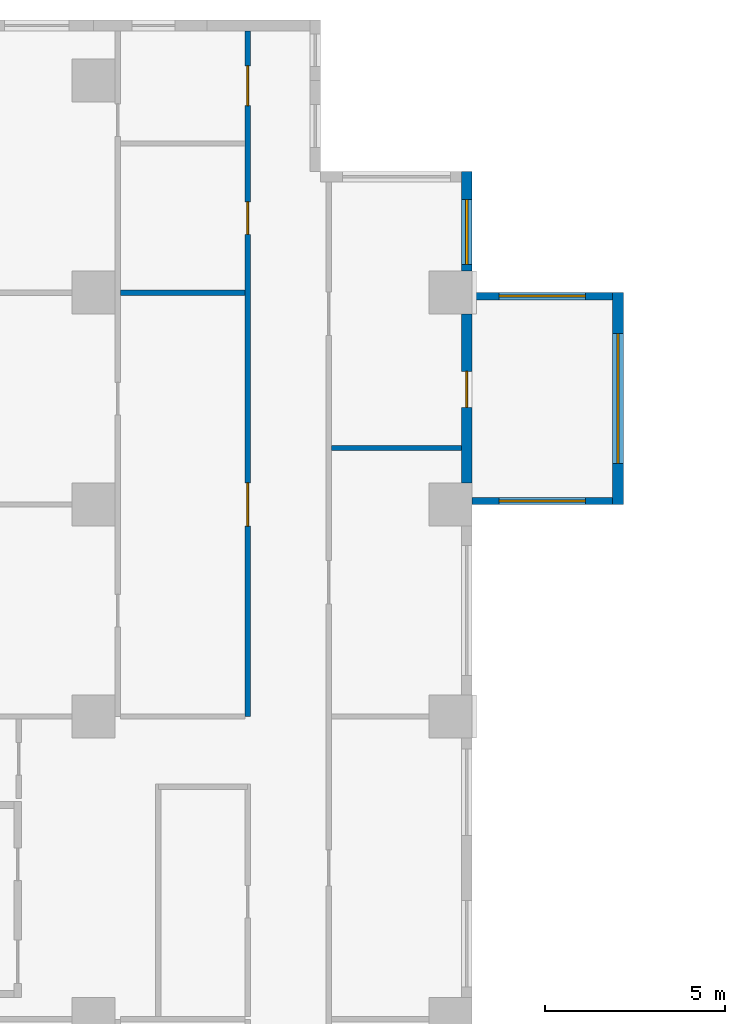
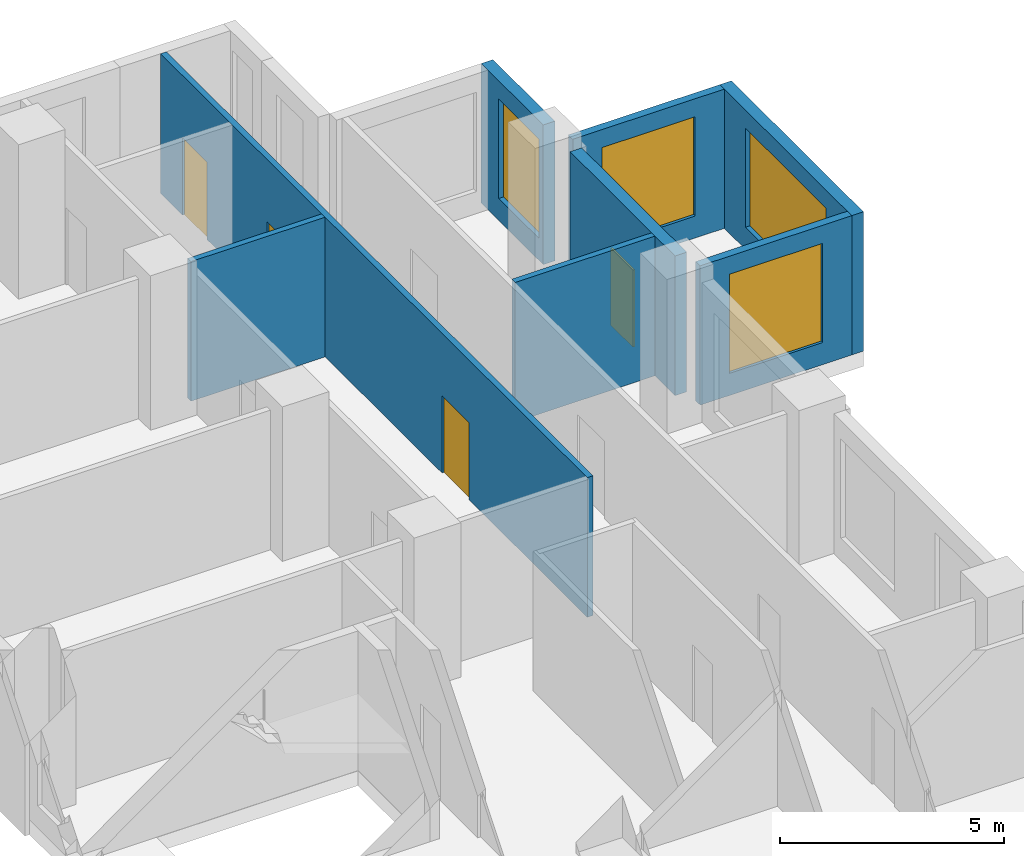
# One storey, part 8 of 14: 8 walls, 4 doors, 4 windows, 8 openings.
"""IFC4 building model written with IfcOpenShell, lengths in metres."""

from ifc_helpers import new_model, si_unit, direction, frame, frame_2d, origin, place, context, subcontext, project, spatial, rectangle, extrude, source, transform, mapped, material, layer, layer_set, type_object, element, fill, save


model = new_model("IFC4")

# Units and contexts
model_context = context("Model", 3, precision=1e-05, world=origin(), true_north=direction((0.0, 1.0)))
body_context = subcontext(model_context, "Body", "Model", "MODEL_VIEW")
ifc_project = project(units=[si_unit("LENGTHUNIT", "METRE"), si_unit("AREAUNIT", "SQUARE_METRE"), si_unit("VOLUMEUNIT", "CUBIC_METRE"), si_unit("PLANEANGLEUNIT", "RADIAN"), si_unit("MASSUNIT", "GRAM", prefix="KILO")], contexts=[model_context])

# Site, building, storey
site_placement = place(None, origin())
site = spatial("IfcSite", under=ifc_project, at=site_placement, CompositionType="ELEMENT")
building_placement = place(site_placement, origin())
building = spatial("IfcBuilding", under=site, at=building_placement, Name="Aurelian Terraces", CompositionType="ELEMENT")
storey_placement = place(building_placement, frame((0.0, 0.0, 57.3)))
storey = spatial("IfcBuildingStorey", under=building, at=storey_placement, Name="L11", CompositionType="ELEMENT", Elevation=57.3)

# Wall, opening, door
ifc_material_1 = material(Name="Terracotta rainscreen cladding", Category="masonry")
ifc_layer_1 = layer(ifc_material_1, 0.3)
ifc_layer_set_1 = layer_set([ifc_layer_1], Name="EW-300")
wall_type_1 = type_object("IfcWallType", Name="EW-300", PredefinedType="STANDARD", material=ifc_layer_set_1)
shared_shape_1 = source(origin(), body_context, "Body", "SweptSolid", [
    extrude(rectangle(XDim=4.68, YDim=0.3, at=frame_2d((2.34, 0.0))), origin(), (0.0, 0.0, 1.0), 3.8),
])
wall_1_placement = place(storey_placement, frame((20.85, 52.68, 0.0), z_axis=(0.0, 0.0, 1.0), x_axis=(0.0, 1.0, 0.0)))
wall_1 = element("IfcWall", 1, at=wall_1_placement, inside=storey, type_object=wall_type_1, Name="External wall L11 F12.29", PredefinedType="STANDARD", context=body_context, shape_type="MappedRepresentation", body=[
    mapped(shared_shape_1, transform((0.0, 0.0, 0.0), scale=1.0)),
])
shared_shape_2 = source(origin(), body_context, "Body", "SweptSolid", [
    extrude(rectangle(XDim=1.0, YDim=2.1, at=frame_2d((0.5, 1.05))), frame((0.0, 0.16, 0.0), z_axis=(0.0, -1.0, 0.0), x_axis=(1.0, 0.0, 0.0)), (0.0, 0.0, 1.0), 0.32),
])
opening_1_placement = place(wall_1_placement, frame((2.0967, 0.0, 0.0)))
opening_1 = element("IfcOpeningElement", 2, at=opening_1_placement, cuts=wall_1, Name="Opening 811003", PredefinedType="OPENING", context=body_context, shape_type="MappedRepresentation", body=[
    mapped(shared_shape_2, transform((0.0, 0.0, 0.0), scale=1.0)),
])
ifc_material_2 = material(Name="Timber door leaf", Category="wood")
door_type_1 = type_object("IfcDoorType", Name="Room door 1000x2100 left", OperationType="SINGLE_SWING_LEFT", PredefinedType="DOOR", material=ifc_material_2)
shared_shape_3 = source(origin(), body_context, "Body", "SweptSolid", [
    extrude(rectangle(XDim=1.0, YDim=2.1, at=frame_2d((0.5, 1.05))), frame((0.0, 0.025, 0.0), z_axis=(0.0, -1.0, 0.0), x_axis=(1.0, 0.0, 0.0)), (0.0, 0.0, 1.0), 0.05),
])
door_1_placement = place(opening_1_placement, origin())
door_1 = element("IfcDoor", 3, at=door_1_placement, inside=storey, type_object=door_type_1, Name="Door 811003", OperationType="SINGLE_SWING_LEFT", OverallHeight=2.1, OverallWidth=1.0, PredefinedType="DOOR", context=body_context, shape_type="MappedRepresentation", body=[
    mapped(shared_shape_3, transform((0.0, 0.0, 0.0), scale=1.0)),
])
fill(opening_1, door_1)

# Wall, opening, window
shared_shape_4 = source(origin(), body_context, "Body", "SweptSolid", [
    extrude(rectangle(XDim=2.76, YDim=0.3, at=frame_2d((1.38, 0.0))), origin(), (0.0, 0.0, 1.0), 3.8),
])
wall_2_placement = place(storey_placement, frame((20.85, 58.56, 0.0), z_axis=(0.0, 0.0, 1.0), x_axis=(0.0, 1.0, 0.0)))
wall_2 = element("IfcWall", 4, at=wall_2_placement, inside=storey, type_object=wall_type_1, Name="External wall L11 F12.30", PredefinedType="STANDARD", context=body_context, shape_type="MappedRepresentation", body=[
    mapped(shared_shape_4, transform((0.0, 0.0, 0.0), scale=1.0)),
])
shared_shape_5 = source(origin(), body_context, "Body", "SweptSolid", [
    extrude(rectangle(XDim=1.8, YDim=2.7, at=frame_2d((0.9, 1.35))), frame((0.0, 0.16, 0.0), z_axis=(0.0, -1.0, 0.0), x_axis=(1.0, 0.0, 0.0)), (0.0, 0.0, 1.0), 0.32),
])
opening_2_placement = place(wall_2_placement, frame((0.18, 0.0, 0.6)))
opening_2 = element("IfcOpeningElement", 5, at=opening_2_placement, cuts=wall_2, Name="Opening W1827", PredefinedType="OPENING", context=body_context, shape_type="MappedRepresentation", body=[
    mapped(shared_shape_5, transform((0.0, 0.0, 0.0), scale=1.0)),
])
ifc_material_3 = material(Name="Clear glazing", Category="glass")
window_type_1 = type_object("IfcWindowType", Name="W-1800x2700", PartitioningType="SINGLE_PANEL", PredefinedType="WINDOW", material=ifc_material_3)
shared_shape_6 = source(origin(), body_context, "Body", "SweptSolid", [
    extrude(rectangle(XDim=1.8, YDim=2.7, at=frame_2d((0.9, 1.35))), frame((0.0, 0.03, 0.0), z_axis=(0.0, -1.0, 0.0), x_axis=(1.0, 0.0, 0.0)), (0.0, 0.0, 1.0), 0.06),
])
window_1_placement = place(opening_2_placement, origin())
window_1 = element("IfcWindow", 6, at=window_1_placement, inside=storey, type_object=window_type_1, Name="Window L11 L11-F12-30-0", OverallHeight=2.7, OverallWidth=1.8, PartitioningType="SINGLE_PANEL", PredefinedType="WINDOW", context=body_context, shape_type="MappedRepresentation", body=[
    mapped(shared_shape_6, transform((0.0, 0.0, 0.0), scale=1.0)),
])
fill(opening_2, window_1)

ifc_material_4 = material(Name="Concrete fc' 40 MPa", Category="concrete")
ifc_layer_2 = layer(ifc_material_4, 0.2)
ifc_layer_set_2 = layer_set([ifc_layer_2], Name="BOX BEARING WALL 200")
wall_type_2 = type_object("IfcWallType", Name="BOX BEARING WALL 200", PredefinedType="SOLIDWALL", material=ifc_layer_set_2)
shared_shape_7 = source(origin(), body_context, "Body", "SweptSolid", [
    extrude(rectangle(XDim=3.9, YDim=0.2, at=frame_2d((1.95, 0.0))), origin(), (0.0, 0.0, 1.0), 3.79),
])
wall_3_placement = place(storey_placement, frame((21.0, 52.18, 0.0), z_axis=(0.0, 0.0, 1.0), x_axis=(1.0, 0.0, 0.0)))
wall_3 = element("IfcWall", 7, at=wall_3_placement, inside=storey, type_object=wall_type_2, Name="Box return L11 J08.1", PredefinedType="SOLIDWALL", context=body_context, shape_type="MappedRepresentation", body=[
    mapped(shared_shape_7, transform((0.0, 0.0, 0.0), scale=1.0)),
])
shared_shape_8 = source(origin(), body_context, "Body", "SweptSolid", [
    extrude(rectangle(XDim=2.4, YDim=2.7, at=frame_2d((1.2, 1.35))), frame((0.0, 0.11, 0.0), z_axis=(0.0, -1.0, 0.0), x_axis=(1.0, 0.0, 0.0)), (0.0, 0.0, 1.0), 0.22),
])
opening_3_placement = place(wall_3_placement, frame((0.75, 0.0, 0.6)))
opening_3 = element("IfcOpeningElement", 8, at=opening_3_placement, cuts=wall_3, Name="Opening W2427", PredefinedType="OPENING", context=body_context, shape_type="MappedRepresentation", body=[
    mapped(shared_shape_8, transform((0.0, 0.0, 0.0), scale=1.0)),
])
window_type_2 = type_object("IfcWindowType", Name="W-2400x2700", PartitioningType="SINGLE_PANEL", PredefinedType="WINDOW", material=ifc_material_3)
shared_shape_9 = source(origin(), body_context, "Body", "SweptSolid", [
    extrude(rectangle(XDim=2.4, YDim=2.7, at=frame_2d((1.2, 1.35))), frame((0.0, 0.03, 0.0), z_axis=(0.0, -1.0, 0.0), x_axis=(1.0, 0.0, 0.0)), (0.0, 0.0, 1.0), 0.06),
])
window_2_placement = place(opening_3_placement, origin())
window_2 = element("IfcWindow", 9, at=window_2_placement, inside=storey, type_object=window_type_2, Name="Window L11 J08-S1", OverallHeight=2.7, OverallWidth=2.4, PartitioningType="SINGLE_PANEL", PredefinedType="WINDOW", context=body_context, shape_type="MappedRepresentation", body=[
    mapped(shared_shape_9, transform((0.0, 0.0, 0.0), scale=1.0)),
])
fill(opening_3, window_2)

wall_4_placement = place(storey_placement, frame((21.0, 57.86, 0.0), z_axis=(0.0, 0.0, 1.0), x_axis=(1.0, 0.0, 0.0)))
wall_4 = element("IfcWall", 10, at=wall_4_placement, inside=storey, type_object=wall_type_2, Name="Box return L11 J08.2", PredefinedType="SOLIDWALL", context=body_context, shape_type="MappedRepresentation", body=[
    mapped(shared_shape_7, transform((0.0, 0.0, 0.0), scale=1.0)),
])
opening_4_placement = place(wall_4_placement, frame((0.75, 0.0, 0.6)))
opening_4 = element("IfcOpeningElement", 11, at=opening_4_placement, cuts=wall_4, Name="Opening W2427", PredefinedType="OPENING", context=body_context, shape_type="MappedRepresentation", body=[
    mapped(shared_shape_8, transform((0.0, 0.0, 0.0), scale=1.0)),
])
window_3_placement = place(opening_4_placement, origin())
window_3 = element("IfcWindow", 12, at=window_3_placement, inside=storey, type_object=window_type_2, Name="Window L11 J08-S2", OverallHeight=2.7, OverallWidth=2.4, PartitioningType="SINGLE_PANEL", PredefinedType="WINDOW", context=body_context, shape_type="MappedRepresentation", body=[
    mapped(shared_shape_9, transform((0.0, 0.0, 0.0), scale=1.0)),
])
fill(opening_4, window_3)

ifc_layer_3 = layer(ifc_material_4, 0.3)
ifc_layer_set_3 = layer_set([ifc_layer_3], Name="BOX BEARING WALL 300")
wall_type_3 = type_object("IfcWallType", Name="BOX BEARING WALL 300", PredefinedType="SOLIDWALL", material=ifc_layer_set_3)
shared_shape_10 = source(origin(), body_context, "Body", "SweptSolid", [
    extrude(rectangle(XDim=5.88, YDim=0.3, at=frame_2d((2.94, 0.0))), origin(), (0.0, 0.0, 1.0), 3.79),
])
wall_5_placement = place(storey_placement, frame((25.05, 52.08, 0.0), z_axis=(0.0, 0.0, 1.0), x_axis=(0.0, 1.0, 0.0)))
wall_5 = element("IfcWall", 13, at=wall_5_placement, inside=storey, type_object=wall_type_3, Name="Box wall L11 J08", PredefinedType="SOLIDWALL", context=body_context, shape_type="MappedRepresentation", body=[
    mapped(shared_shape_10, transform((0.0, 0.0, 0.0), scale=1.0)),
])
shared_shape_11 = source(origin(), body_context, "Body", "SweptSolid", [
    extrude(rectangle(XDim=3.6, YDim=2.7, at=frame_2d((1.8, 1.35))), frame((0.0, 0.16, 0.0), z_axis=(0.0, -1.0, 0.0), x_axis=(1.0, 0.0, 0.0)), (0.0, 0.0, 1.0), 0.32),
])
opening_5_placement = place(wall_5_placement, frame((1.14, 0.0, 0.6)))
opening_5 = element("IfcOpeningElement", 14, at=opening_5_placement, cuts=wall_5, Name="Opening W3627", PredefinedType="OPENING", context=body_context, shape_type="MappedRepresentation", body=[
    mapped(shared_shape_11, transform((0.0, 0.0, 0.0), scale=1.0)),
])
window_type_3 = type_object("IfcWindowType", Name="W-3600x2700", PartitioningType="SINGLE_PANEL", PredefinedType="WINDOW", material=ifc_material_3)
shared_shape_12 = source(origin(), body_context, "Body", "SweptSolid", [
    extrude(rectangle(XDim=3.6, YDim=2.7, at=frame_2d((1.8, 1.35))), frame((0.0, 0.03, 0.0), z_axis=(0.0, -1.0, 0.0), x_axis=(1.0, 0.0, 0.0)), (0.0, 0.0, 1.0), 0.06),
])
window_4_placement = place(opening_5_placement, origin())
window_4 = element("IfcWindow", 15, at=window_4_placement, inside=storey, type_object=window_type_3, Name="Window L11 J08-F1", OverallHeight=2.7, OverallWidth=3.6, PartitioningType="SINGLE_PANEL", PredefinedType="WINDOW", context=body_context, shape_type="MappedRepresentation", body=[
    mapped(shared_shape_12, transform((0.0, 0.0, 0.0), scale=1.0)),
])
fill(opening_5, window_4)

# Wall
ifc_material_5 = material(Name="Gypsum board on steel studs", Category="steel")
ifc_layer_4 = layer(ifc_material_5, 0.15)
ifc_layer_set_4 = layer_set([ifc_layer_4], Name="Partition 150")
wall_type_4 = type_object("IfcWallType", Name="Partition 150", PredefinedType="PARTITIONING", material=ifc_layer_set_4)
shared_shape_13 = source(origin(), body_context, "Body", "SweptSolid", [
    extrude(rectangle(XDim=3.6, YDim=0.15, at=frame_2d((1.8, 0.0))), origin(), (0.0, 0.0, 1.0), 3.8),
])
wall_6_placement = place(storey_placement, frame((17.1, 53.6475, 0.0), z_axis=(0.0, 0.0, 1.0), x_axis=(1.0, 0.0, 0.0)))
element("IfcWall", 16, at=wall_6_placement, inside=storey, type_object=wall_type_4, Name="Partition", PredefinedType="PARTITIONING", context=body_context, shape_type="MappedRepresentation", body=[
    mapped(shared_shape_13, transform((0.0, 0.0, 0.0), scale=1.0)),
])

# Wall, openings, doors
ifc_layer_5 = layer(ifc_material_5, 0.15)
ifc_layer_set_5 = layer_set([ifc_layer_5], Name="Fire partition 150")
wall_type_5 = type_object("IfcWallType", Name="Fire partition 150", PredefinedType="PARTITIONING", material=ifc_layer_set_5)
shared_shape_14 = source(origin(), body_context, "Body", "SweptSolid", [
    extrude(rectangle(XDim=19.02, YDim=0.15, at=frame_2d((9.51, 0.0))), origin(), (0.0, 0.0, 1.0), 3.8),
])
wall_7_placement = place(storey_placement, frame((14.775, 46.2, 0.0), z_axis=(0.0, 0.0, 1.0), x_axis=(0.0, 1.0, 0.0)))
wall_7 = element("IfcWall", 17, at=wall_7_placement, inside=storey, type_object=wall_type_5, Name="Corridor wall", PredefinedType="PARTITIONING", context=body_context, shape_type="MappedRepresentation", body=[
    mapped(shared_shape_14, transform((0.0, 0.0, 0.0), scale=1.0)),
])
shared_shape_15 = source(origin(), body_context, "Body", "SweptSolid", [
    extrude(rectangle(XDim=1.2, YDim=2.1, at=frame_2d((0.6, 1.05))), frame((0.0, 0.085, 0.0), z_axis=(0.0, -1.0, 0.0), x_axis=(1.0, 0.0, 0.0)), (0.0, 0.0, 1.0), 0.17),
])
opening_6_placement = place(wall_7_placement, frame((5.28, 0.0, 0.0)))
opening_6 = element("IfcOpeningElement", 18, at=opening_6_placement, cuts=wall_7, Name="Opening 711035", PredefinedType="OPENING", context=body_context, shape_type="MappedRepresentation", body=[
    mapped(shared_shape_15, transform((0.0, 0.0, 0.0), scale=1.0)),
])
shared_shape_16 = source(origin(), body_context, "Body", "SweptSolid", [
    extrude(rectangle(XDim=1.1, YDim=2.1, at=frame_2d((0.55, 1.05))), frame((0.0, 0.085, 0.0), z_axis=(0.0, -1.0, 0.0), x_axis=(1.0, 0.0, 0.0)), (0.0, 0.0, 1.0), 0.17),
])
opening_7_placement = place(wall_7_placement, frame((16.9442, 0.0, 0.0)))
opening_7 = element("IfcOpeningElement", 19, at=opening_7_placement, cuts=wall_7, Name="Opening 711038", PredefinedType="OPENING", context=body_context, shape_type="MappedRepresentation", body=[
    mapped(shared_shape_16, transform((0.0, 0.0, 0.0), scale=1.0)),
])
shared_shape_17 = source(origin(), body_context, "Body", "SweptSolid", [
    extrude(rectangle(XDim=0.9, YDim=2.1, at=frame_2d((0.45, 1.05))), frame((0.0, 0.085, 0.0), z_axis=(0.0, -1.0, 0.0), x_axis=(1.0, 0.0, 0.0)), (0.0, 0.0, 1.0), 0.17),
])
opening_8_placement = place(wall_7_placement, frame((13.3767, 0.0, 0.0)))
opening_8 = element("IfcOpeningElement", 20, at=opening_8_placement, cuts=wall_7, Name="Opening 711040", PredefinedType="OPENING", context=body_context, shape_type="MappedRepresentation", body=[
    mapped(shared_shape_17, transform((0.0, 0.0, 0.0), scale=1.0)),
])
door_type_2 = type_object("IfcDoorType", Name="Room door 900x2100 left", OperationType="SINGLE_SWING_LEFT", PredefinedType="DOOR", material=ifc_material_2)
shared_shape_18 = source(origin(), body_context, "Body", "SweptSolid", [
    extrude(rectangle(XDim=0.9, YDim=2.1, at=frame_2d((0.45, 1.05))), frame((0.0, 0.025, 0.0), z_axis=(0.0, -1.0, 0.0), x_axis=(1.0, 0.0, 0.0)), (0.0, 0.0, 1.0), 0.05),
])
door_2_placement = place(opening_8_placement, origin())
door_2 = element("IfcDoor", 21, at=door_2_placement, inside=storey, type_object=door_type_2, Name="Door 711040", OperationType="SINGLE_SWING_LEFT", OverallHeight=2.1, OverallWidth=0.9, PredefinedType="DOOR", context=body_context, shape_type="MappedRepresentation", body=[
    mapped(shared_shape_18, transform((0.0, 0.0, 0.0), scale=1.0)),
])
fill(opening_8, door_2)
door_type_3 = type_object("IfcDoorType", Name="Room door 1100x2100 left", OperationType="SINGLE_SWING_LEFT", PredefinedType="DOOR", material=ifc_material_2)
shared_shape_19 = source(origin(), body_context, "Body", "SweptSolid", [
    extrude(rectangle(XDim=1.1, YDim=2.1, at=frame_2d((0.55, 1.05))), frame((0.0, 0.025, 0.0), z_axis=(0.0, -1.0, 0.0), x_axis=(1.0, 0.0, 0.0)), (0.0, 0.0, 1.0), 0.05),
])
door_3_placement = place(opening_7_placement, origin())
door_3 = element("IfcDoor", 22, at=door_3_placement, inside=storey, type_object=door_type_3, Name="Door 711038", OperationType="SINGLE_SWING_LEFT", OverallHeight=2.1, OverallWidth=1.1, PredefinedType="DOOR", context=body_context, shape_type="MappedRepresentation", body=[
    mapped(shared_shape_19, transform((0.0, 0.0, 0.0), scale=1.0)),
])
fill(opening_7, door_3)
door_type_4 = type_object("IfcDoorType", Name="Room door 1200x2100 left", OperationType="SINGLE_SWING_LEFT", PredefinedType="DOOR", material=ifc_material_2)
shared_shape_20 = source(origin(), body_context, "Body", "SweptSolid", [
    extrude(rectangle(XDim=1.2, YDim=2.1, at=frame_2d((0.6, 1.05))), frame((0.0, 0.025, 0.0), z_axis=(0.0, -1.0, 0.0), x_axis=(1.0, 0.0, 0.0)), (0.0, 0.0, 1.0), 0.05),
])
door_4_placement = place(opening_6_placement, origin())
door_4 = element("IfcDoor", 23, at=door_4_placement, inside=storey, type_object=door_type_4, Name="Door 711035", OperationType="SINGLE_SWING_LEFT", OverallHeight=2.1, OverallWidth=1.2, PredefinedType="DOOR", context=body_context, shape_type="MappedRepresentation", body=[
    mapped(shared_shape_20, transform((0.0, 0.0, 0.0), scale=1.0)),
])
fill(opening_6, door_4)

# Wall
shared_shape_21 = source(origin(), body_context, "Body", "SweptSolid", [
    extrude(rectangle(XDim=3.45, YDim=0.15, at=frame_2d((1.725, 0.0))), origin(), (0.0, 0.0, 1.0), 3.8),
])
wall_8_placement = place(storey_placement, frame((14.7, 57.96, 0.0), z_axis=(0.0, 0.0, 1.0), x_axis=(-1.0, 0.0, 0.0)))
element("IfcWall", 24, at=wall_8_placement, inside=storey, type_object=wall_type_4, Name="Partition", PredefinedType="PARTITIONING", context=body_context, shape_type="MappedRepresentation", body=[
    mapped(shared_shape_21, transform((0.0, 0.0, 0.0), scale=1.0)),
])

save(model, "model.ifc")
